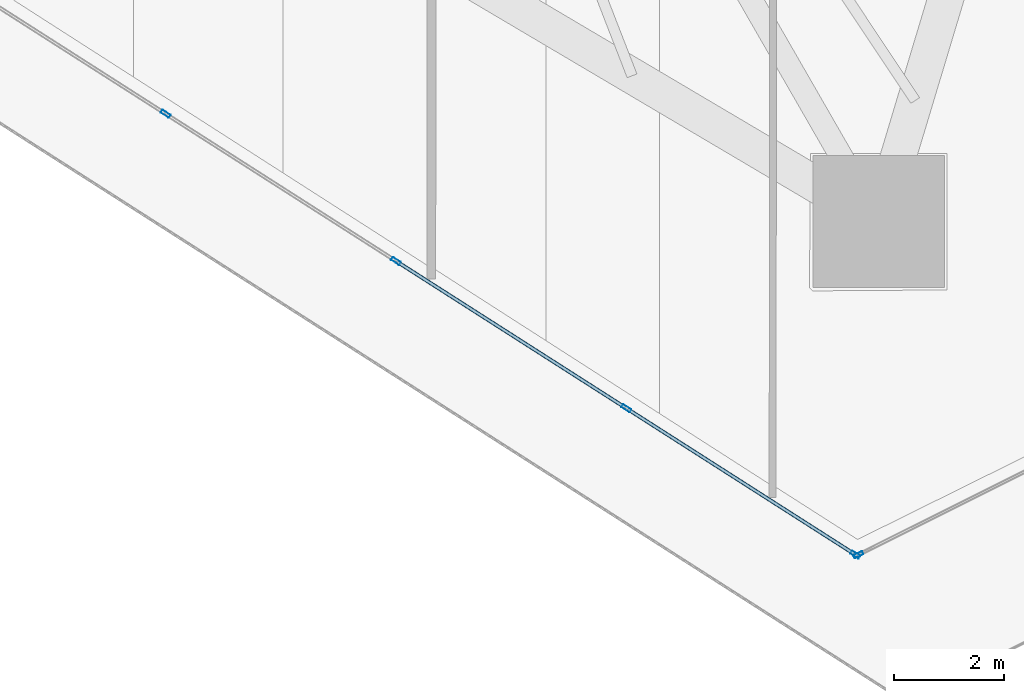
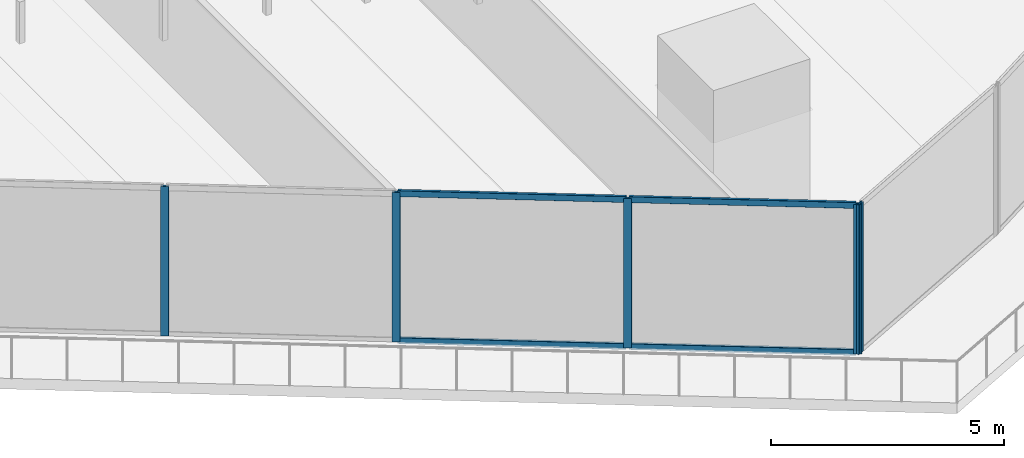
# One storey, part 7 of 44: 9 members, 2 elements without a shape of their own.
"""IFC4 building model written with IfcOpenShell, lengths in metres."""

from ifc_helpers import new_model, si_unit, direction, frame, origin, origin_2d, place, context, subcontext, project, spatial, hollow_rectangle, extrude, material, layer, layer_set, material_profile, profile_set, type_object, element, aggregate, save


model = new_model("IFC4")

# Units and contexts
model_context = context("Model", 3, precision=1e-05, world=origin(), true_north=direction((0.0, 1.0)))
body_context = subcontext(model_context, "Body", "Model", "MODEL_VIEW")
ifc_project = project(units=[si_unit("LENGTHUNIT", "METRE"), si_unit("AREAUNIT", "SQUARE_METRE"), si_unit("VOLUMEUNIT", "CUBIC_METRE"), si_unit("PLANEANGLEUNIT", "RADIAN"), si_unit("MASSUNIT", "GRAM", prefix="KILO")], contexts=[model_context])

# Site, building, storey
site_placement = place(None, origin())
site = spatial("IfcSite", under=ifc_project, at=site_placement, CompositionType="ELEMENT")
building_placement = place(site_placement, origin())
building = spatial("IfcBuilding", under=site, at=building_placement, Name="Qorvath Tower", CompositionType="ELEMENT")
storey_placement = place(building_placement, frame((0.0, 0.0, 53.39990234375)))
storey = spatial("IfcBuildingStorey", under=building, at=storey_placement, Name="L11", CompositionType="ELEMENT", Elevation=53.39990234375)

# Curtain wall, members
ifc_material_1 = material(Name="Anodised aluminium and triple low-E glass", Category="aluminium")
ifc_layer = layer(ifc_material_1, 0.179931640625)
ifc_layer_set = layer_set([ifc_layer], Name="CW-SYS-2")
curtain_wall_type = type_object("IfcCurtainWallType", Name="CW-SYS-2", PredefinedType="NOTDEFINED", material=ifc_layer_set)
curtain_wall_1_placement = place(storey_placement, origin())
curtain_wall_1 = element("IfcCurtainWall", 1, at=curtain_wall_1_placement, inside=storey, type_object=curtain_wall_type, Name="Curtain Wall CW-2 CW-T-L11-2.2", PredefinedType="NOTDEFINED")
ifc_material_2 = material(Name="Anodised aluminium 6063-T6", Category="aluminium")
ifc_material_profile_1 = material_profile(ifc_material_2, hollow_rectangle(XDim=0.06494140625, YDim=0.179931640625, WallThickness=0.00341796875, InnerFilletRadius=0.00341796875, OuterFilletRadius=0.007080078125, at=origin_2d()), Name="CWM 180x65")
ifc_profile_set_1 = profile_set([ifc_material_profile_1], Name="Anodised aluminium 6063-T6")
member_type_1 = type_object("IfcMemberType", Name="CWM-180", PredefinedType="MULLION", material=ifc_profile_set_1)
member_1_placement = place(storey_placement, frame((-27.4453125, -25.366943359375, 0.0), z_axis=(0.0, 0.0, 1.0), x_axis=(0.538536571861, 0.842602136698, 0.0)))
member_1 = element("IfcMember", 2, at=member_1_placement, type_object=member_type_1, Name="CW-2 mullion 4", PredefinedType="MULLION", context=body_context, shape_type="SweptSolid", body=[
    extrude(hollow_rectangle(XDim=0.06494140625, YDim=0.179931640625, WallThickness=0.00341796875, InnerFilletRadius=0.00341796875, OuterFilletRadius=0.007080078125, at=origin_2d()), origin(), (0.0, 0.0, 1.0), 3.920166015625),
])
member_2_placement = place(storey_placement, frame((-23.25146484375, -28.047119140625, 0.0), z_axis=(0.0, 0.0, 1.0), x_axis=(0.538536571861, 0.842602136698, 0.0)))
member_2 = element("IfcMember", 3, at=member_2_placement, type_object=member_type_1, Name="CW-2 mullion 5", PredefinedType="MULLION", context=body_context, shape_type="SweptSolid", body=[
    extrude(hollow_rectangle(XDim=0.06494140625, YDim=0.179931640625, WallThickness=0.00341796875, InnerFilletRadius=0.00341796875, OuterFilletRadius=0.007080078125, at=origin_2d()), origin(), (0.0, 0.0, 1.0), 3.920166015625),
])
member_3_placement = place(storey_placement, frame((-19.057861328125, -30.7275390625, 0.0), z_axis=(0.0, 0.0, 1.0), x_axis=(0.538536571861, 0.842602136698, 0.0)))
member_3 = element("IfcMember", 4, at=member_3_placement, type_object=member_type_1, Name="CW-2 mullion 6", PredefinedType="MULLION", context=body_context, shape_type="SweptSolid", body=[
    extrude(hollow_rectangle(XDim=0.06494140625, YDim=0.179931640625, WallThickness=0.00341796875, InnerFilletRadius=0.00341796875, OuterFilletRadius=0.007080078125, at=origin_2d()), origin(), (0.0, 0.0, 1.0), 3.920166015625),
])
member_4_placement = place(storey_placement, frame((-14.891357421875, -33.390380859375, 0.0), z_axis=(0.0, 0.0, 1.0), x_axis=(0.538536571861, 0.842602136698, 0.0)))
member_4 = element("IfcMember", 5, at=member_4_placement, type_object=member_type_1, Name="CW-2 mullion 7", PredefinedType="MULLION", context=body_context, shape_type="SweptSolid", body=[
    extrude(hollow_rectangle(XDim=0.06494140625, YDim=0.179931640625, WallThickness=0.00341796875, InnerFilletRadius=0.00341796875, OuterFilletRadius=0.007080078125, at=origin_2d()), origin(), (0.0, 0.0, 1.0), 3.920166015625),
])

# Curtain wall, member
curtain_wall_2_placement = place(storey_placement, origin())
curtain_wall_2 = element("IfcCurtainWall", 6, at=curtain_wall_2_placement, inside=storey, type_object=curtain_wall_type, Name="Curtain Wall CW-2 CW-T-L11-3.1", PredefinedType="NOTDEFINED")
member_5_placement = place(storey_placement, frame((-14.8349609375, -33.3935546875, 0.0), z_axis=(0.0, 0.0, 1.0), x_axis=(-0.447258573792, 0.89440470044, 0.0)))
member_5 = element("IfcMember", 7, at=member_5_placement, type_object=member_type_1, Name="CW-2 mullion 1", PredefinedType="MULLION", context=body_context, shape_type="SweptSolid", body=[
    extrude(hollow_rectangle(XDim=0.06494140625, YDim=0.179931640625, WallThickness=0.00341796875, InnerFilletRadius=0.00341796875, OuterFilletRadius=0.007080078125, at=origin_2d()), origin(), (0.0, 0.0, 1.0), 3.920166015625),
])
aggregate(curtain_wall_2, [member_5])

# Member
ifc_material_3 = material(Name="Anodised aluminium 6063-T6", Category="aluminium")
ifc_material_profile_2 = material_profile(ifc_material_3, hollow_rectangle(XDim=0.06494140625, YDim=0.159912109375, WallThickness=0.00341796875, InnerFilletRadius=0.00341796875, OuterFilletRadius=0.007080078125, at=origin_2d()), Name="CWT 160x65")
ifc_profile_set_2 = profile_set([ifc_material_profile_2], Name="Anodised aluminium 6063-T6")
member_type_2 = type_object("IfcMemberType", Name="CWT-160", PredefinedType="USERDEFINED", material=ifc_profile_set_2)
member_6_placement = place(storey_placement, frame((-23.22412109375, -28.064697265625, 0.032470703125), z_axis=(0.842585374104, -0.538562797959, 0.0), x_axis=(0.538562797959, 0.842585374104, 0.0)))
member_6 = element("IfcMember", 8, at=member_6_placement, type_object=member_type_2, Name="CW-2 transom 5.1", ObjectType="TRANSOM", PredefinedType="USERDEFINED", context=body_context, shape_type="SweptSolid", body=[
    extrude(hollow_rectangle(XDim=0.06494140625, YDim=0.159912109375, WallThickness=0.00341796875, InnerFilletRadius=0.00341796875, OuterFilletRadius=0.007080078125, at=origin_2d()), origin(), (0.0, 0.0, 1.0), 4.912109375),
])

member_7_placement = place(storey_placement, frame((-23.22412109375, -28.064697265625, 3.8876953125), z_axis=(0.842585374104, -0.538562797959, 0.0), x_axis=(0.538562797959, 0.842585374104, 0.0)))
member_7 = element("IfcMember", 9, at=member_7_placement, type_object=member_type_2, Name="CW-2 transom 5.2", ObjectType="TRANSOM", PredefinedType="USERDEFINED", context=body_context, shape_type="SweptSolid", body=[
    extrude(hollow_rectangle(XDim=0.06494140625, YDim=0.159912109375, WallThickness=0.00341796875, InnerFilletRadius=0.00341796875, OuterFilletRadius=0.007080078125, at=origin_2d()), origin(), (0.0, 0.0, 1.0), 4.912109375),
])

member_8_placement = place(storey_placement, frame((-19.0302734375, -30.7451171875, 0.032470703125), z_axis=(0.842594727147, -0.538548164777, 0.0), x_axis=(0.538548164777, 0.842594727147, 0.0)))
member_8 = element("IfcMember", 10, at=member_8_placement, type_object=member_type_2, Name="CW-2 transom 6.1", ObjectType="TRANSOM", PredefinedType="USERDEFINED", context=body_context, shape_type="SweptSolid", body=[
    extrude(hollow_rectangle(XDim=0.06494140625, YDim=0.159912109375, WallThickness=0.00341796875, InnerFilletRadius=0.00341796875, OuterFilletRadius=0.007080078125, at=origin_2d()), origin(), (0.0, 0.0, 1.0), 4.879638671875),
])

member_9_placement = place(storey_placement, frame((-19.0302734375, -30.7451171875, 3.8876953125), z_axis=(0.842594727147, -0.538548164777, 0.0), x_axis=(0.538548164777, 0.842594727147, 0.0)))
member_9 = element("IfcMember", 11, at=member_9_placement, type_object=member_type_2, Name="CW-2 transom 6.2", ObjectType="TRANSOM", PredefinedType="USERDEFINED", context=body_context, shape_type="SweptSolid", body=[
    extrude(hollow_rectangle(XDim=0.06494140625, YDim=0.159912109375, WallThickness=0.00341796875, InnerFilletRadius=0.00341796875, OuterFilletRadius=0.007080078125, at=origin_2d()), origin(), (0.0, 0.0, 1.0), 4.879638671875),
])

aggregate(curtain_wall_1, [member_1, member_2, member_3, member_4, member_6, member_7, member_8, member_9])

save(model, "model.ifc")
